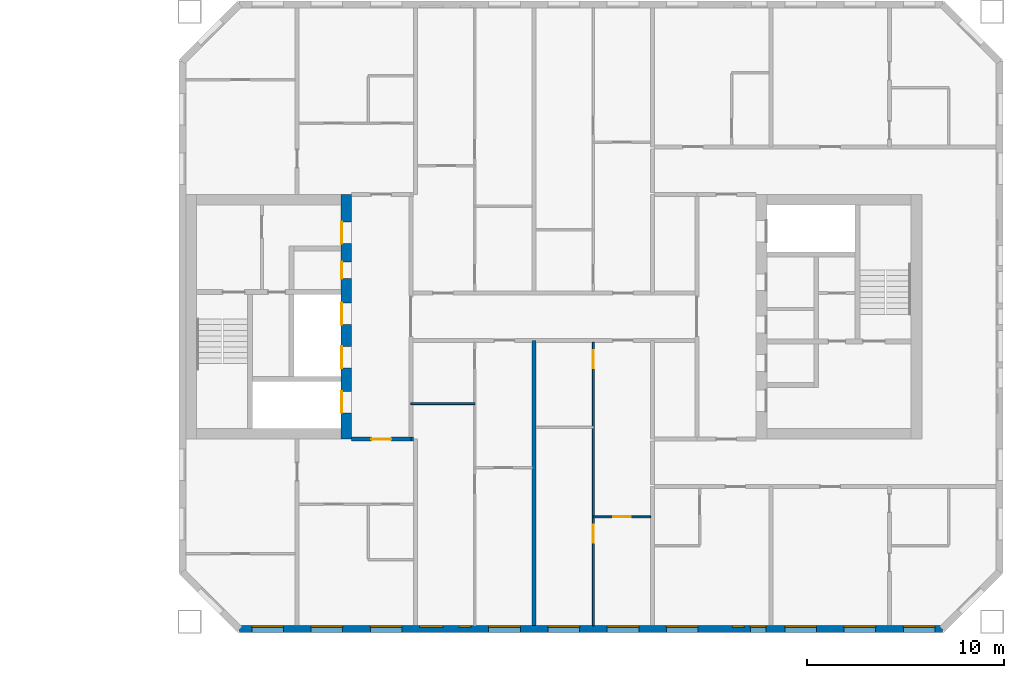
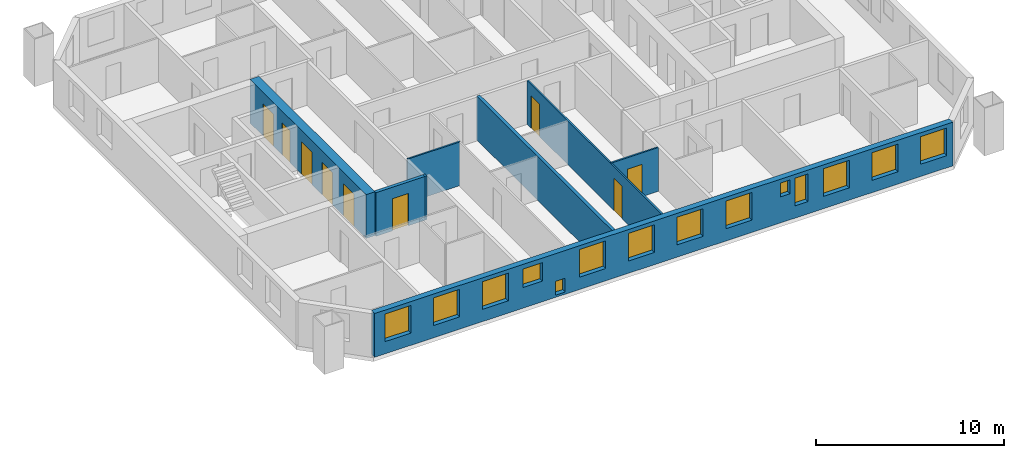
# One storey, part 10 of 16: 14 windows, 9 doors, 8 walls, 23 openings.
"""IFC4 building model written with IfcOpenShell, lengths in metres."""

from ifc_helpers import new_model, si_unit, direction, frame, frame_2d, origin, place, context, subcontext, project, spatial, rectangle, extrude, material, layer, layer_set, type_object, element, fill, save


model = new_model("IFC4")

# Units and contexts
model_context = context("Model", 3, precision=1e-05, world=origin(), true_north=direction((0.0, 1.0)))
body_context = subcontext(model_context, "Body", "Model", "MODEL_VIEW")
ifc_project = project(units=[si_unit("LENGTHUNIT", "METRE"), si_unit("AREAUNIT", "SQUARE_METRE"), si_unit("VOLUMEUNIT", "CUBIC_METRE"), si_unit("PLANEANGLEUNIT", "RADIAN"), si_unit("MASSUNIT", "GRAM", prefix="KILO")], contexts=[model_context])

# Site, building, storey
site_placement = place(None, origin())
site = spatial("IfcSite", under=ifc_project, at=site_placement, CompositionType="ELEMENT")
building_placement = place(site_placement, origin())
building = spatial("IfcBuilding", under=site, at=building_placement, Name="Tuart Gate Housing", CompositionType="ELEMENT")
storey_placement = place(building_placement, frame((0.0, 0.0, 133.0)))
storey = spatial("IfcBuildingStorey", under=building, at=storey_placement, Name="L37", CompositionType="ELEMENT", Elevation=133.0)

# Wall, openings, windows
ifc_material_1 = material(Name="Brick", Category="masonry")
ifc_layer_1 = layer(ifc_material_1, 0.360107421875)
ifc_layer_set_1 = layer_set([ifc_layer_1], Name="Brick pier and spandrel wall 360")
wall_type_1 = type_object("IfcWallType", Name="Brick pier and spandrel wall 360", PredefinedType="STANDARD", material=ifc_layer_set_1)
wall_1_placement = place(storey_placement, frame((134.07470703125, 54.179931640625, 0.0), z_axis=(0.0, 0.0, 1.0), x_axis=(1.0, 0.0, 0.0)))
wall_1 = element("IfcWall", 1, at=wall_1_placement, inside=storey, type_object=wall_type_1, Name="External wall B-S L37", PredefinedType="STANDARD", context=body_context, shape_type="SweptSolid", body=[
    extrude(rectangle(XDim=35.600830078125, YDim=0.360107421875, at=frame_2d((17.80029296875, 0.0))), origin(), (0.0, 0.0, 1.0), 2.85009765625),
])
opening_1_placement = place(wall_1_placement, frame((0.62548828125, 0.0, 0.800048828125)))
opening_1 = element("IfcOpeningElement", 2, at=opening_1_placement, cuts=wall_1, Name="Opening W1", PredefinedType="OPENING", context=body_context, shape_type="SweptSolid", body=[
    extrude(rectangle(XDim=1.60009765625, YDim=1.800048828125, at=frame_2d((0.800048828125, 0.89990234375))), frame((0.0, 0.18994140625, 0.0), z_axis=(0.0, -1.0, 0.0), x_axis=(1.0, 0.0, 0.0)), (0.0, 0.0, 1.0), 0.380126953125),
])
opening_2_placement = place(wall_1_placement, frame((3.62548828125, 0.0, 0.800048828125)))
opening_2 = element("IfcOpeningElement", 3, at=opening_2_placement, cuts=wall_1, Name="Opening W1", PredefinedType="OPENING", context=body_context, shape_type="SweptSolid", body=[
    extrude(rectangle(XDim=1.60009765625, YDim=1.800048828125, at=frame_2d((0.800048828125, 0.89990234375))), frame((0.0, 0.18994140625, 0.0), z_axis=(0.0, -1.0, 0.0), x_axis=(1.0, 0.0, 0.0)), (0.0, 0.0, 1.0), 0.380126953125),
])
opening_3_placement = place(wall_1_placement, frame((6.62548828125, 0.0, 0.800048828125)))
opening_3 = element("IfcOpeningElement", 4, at=opening_3_placement, cuts=wall_1, Name="Opening W1", PredefinedType="OPENING", context=body_context, shape_type="SweptSolid", body=[
    extrude(rectangle(XDim=1.60009765625, YDim=1.800048828125, at=frame_2d((0.800048828125, 0.89990234375))), frame((0.0, 0.18994140625, 0.0), z_axis=(0.0, -1.0, 0.0), x_axis=(1.0, 0.0, 0.0)), (0.0, 0.0, 1.0), 0.380126953125),
])
opening_4_placement = place(wall_1_placement, frame((9.12548828125, 0.0, 1.35009765625)))
opening_4 = element("IfcOpeningElement", 5, at=opening_4_placement, cuts=wall_1, Name="Opening W1N", PredefinedType="OPENING", context=body_context, shape_type="SweptSolid", body=[
    extrude(rectangle(XDim=1.199951171875, YDim=1.199951171875, at=frame_2d((0.60009765625, 0.60009765625))), frame((0.0, 0.18994140625, 0.0), z_axis=(0.0, -1.0, 0.0), x_axis=(1.0, 0.0, 0.0)), (0.0, 0.0, 1.0), 0.380126953125),
])
opening_5_placement = place(wall_1_placement, frame((12.62548828125, 0.0, 0.800048828125)))
opening_5 = element("IfcOpeningElement", 6, at=opening_5_placement, cuts=wall_1, Name="Opening W1", PredefinedType="OPENING", context=body_context, shape_type="SweptSolid", body=[
    extrude(rectangle(XDim=1.60009765625, YDim=1.800048828125, at=frame_2d((0.800048828125, 0.89990234375))), frame((0.0, 0.18994140625, 0.0), z_axis=(0.0, -1.0, 0.0), x_axis=(1.0, 0.0, 0.0)), (0.0, 0.0, 1.0), 0.380126953125),
])
opening_6_placement = place(wall_1_placement, frame((15.62548828125, 0.0, 0.800048828125)))
opening_6 = element("IfcOpeningElement", 7, at=opening_6_placement, cuts=wall_1, Name="Opening W1", PredefinedType="OPENING", context=body_context, shape_type="SweptSolid", body=[
    extrude(rectangle(XDim=1.60009765625, YDim=1.800048828125, at=frame_2d((0.800048828125, 0.89990234375))), frame((0.0, 0.18994140625, 0.0), z_axis=(0.0, -1.0, 0.0), x_axis=(1.0, 0.0, 0.0)), (0.0, 0.0, 1.0), 0.380126953125),
])
opening_7_placement = place(wall_1_placement, frame((18.62548828125, 0.0, 0.800048828125)))
opening_7 = element("IfcOpeningElement", 8, at=opening_7_placement, cuts=wall_1, Name="Opening W1", PredefinedType="OPENING", context=body_context, shape_type="SweptSolid", body=[
    extrude(rectangle(XDim=1.60009765625, YDim=1.800048828125, at=frame_2d((0.800048828125, 0.89990234375))), frame((0.0, 0.18994140625, 0.0), z_axis=(0.0, -1.0, 0.0), x_axis=(1.0, 0.0, 0.0)), (0.0, 0.0, 1.0), 0.380126953125),
])
opening_8_placement = place(wall_1_placement, frame((21.62548828125, 0.0, 0.800048828125)))
opening_8 = element("IfcOpeningElement", 9, at=opening_8_placement, cuts=wall_1, Name="Opening W1", PredefinedType="OPENING", context=body_context, shape_type="SweptSolid", body=[
    extrude(rectangle(XDim=1.60009765625, YDim=1.800048828125, at=frame_2d((0.800048828125, 0.89990234375))), frame((0.0, 0.18994140625, 0.0), z_axis=(0.0, -1.0, 0.0), x_axis=(1.0, 0.0, 0.0)), (0.0, 0.0, 1.0), 0.380126953125),
])
opening_9_placement = place(wall_1_placement, frame((24.975341796875, 0.0, 1.699951171875)))
opening_9 = element("IfcOpeningElement", 10, at=opening_9_placement, cuts=wall_1, Name="Opening W1W", PredefinedType="OPENING", context=body_context, shape_type="SweptSolid", body=[
    extrude(rectangle(XDim=0.60009765625, YDim=0.89990234375, at=frame_2d((0.300048828125, 0.449951171875))), frame((0.0, 0.18994140625, 0.0), z_axis=(0.0, -1.0, 0.0), x_axis=(1.0, 0.0, 0.0)), (0.0, 0.0, 1.0), 0.380126953125),
])
opening_10_placement = place(wall_1_placement, frame((27.62548828125, 0.0, 0.800048828125)))
opening_10 = element("IfcOpeningElement", 11, at=opening_10_placement, cuts=wall_1, Name="Opening W1", PredefinedType="OPENING", context=body_context, shape_type="SweptSolid", body=[
    extrude(rectangle(XDim=1.60009765625, YDim=1.800048828125, at=frame_2d((0.800048828125, 0.89990234375))), frame((0.0, 0.18994140625, 0.0), z_axis=(0.0, -1.0, 0.0), x_axis=(1.0, 0.0, 0.0)), (0.0, 0.0, 1.0), 0.380126953125),
])
opening_11_placement = place(wall_1_placement, frame((30.62548828125, 0.0, 0.800048828125)))
opening_11 = element("IfcOpeningElement", 12, at=opening_11_placement, cuts=wall_1, Name="Opening W1", PredefinedType="OPENING", context=body_context, shape_type="SweptSolid", body=[
    extrude(rectangle(XDim=1.60009765625, YDim=1.800048828125, at=frame_2d((0.800048828125, 0.89990234375))), frame((0.0, 0.18994140625, 0.0), z_axis=(0.0, -1.0, 0.0), x_axis=(1.0, 0.0, 0.0)), (0.0, 0.0, 1.0), 0.380126953125),
])
opening_12_placement = place(wall_1_placement, frame((33.62548828125, 0.0, 0.800048828125)))
opening_12 = element("IfcOpeningElement", 13, at=opening_12_placement, cuts=wall_1, Name="Opening W1", PredefinedType="OPENING", context=body_context, shape_type="SweptSolid", body=[
    extrude(rectangle(XDim=1.60009765625, YDim=1.800048828125, at=frame_2d((0.800048828125, 0.89990234375))), frame((0.0, 0.18994140625, 0.0), z_axis=(0.0, -1.0, 0.0), x_axis=(1.0, 0.0, 0.0)), (0.0, 0.0, 1.0), 0.380126953125),
])
opening_13_placement = place(wall_1_placement, frame((11.12548828125, 0.0, 0.14990234375)))
opening_13 = element("IfcOpeningElement", 14, at=opening_13_placement, cuts=wall_1, Name="Opening W1W", PredefinedType="OPENING", context=body_context, shape_type="SweptSolid", body=[
    extrude(rectangle(XDim=0.60009765625, YDim=0.89990234375, at=frame_2d((0.300048828125, 0.449951171875))), frame((0.0, 0.18994140625, 0.0), z_axis=(0.0, -1.0, 0.0), x_axis=(1.0, 0.0, 0.0)), (0.0, 0.0, 1.0), 0.380126953125),
])
opening_14_placement = place(wall_1_placement, frame((25.87548828125, 0.0, 0.800048828125)))
opening_14 = element("IfcOpeningElement", 15, at=opening_14_placement, cuts=wall_1, Name="Opening W1D", PredefinedType="OPENING", context=body_context, shape_type="SweptSolid", body=[
    extrude(rectangle(XDim=0.800048828125, YDim=1.800048828125, at=frame_2d((0.39990234375, 0.89990234375))), frame((0.0, 0.18994140625, 0.0), z_axis=(0.0, -1.0, 0.0), x_axis=(1.0, 0.0, 0.0)), (0.0, 0.0, 1.0), 0.380126953125),
])
ifc_material_2 = material(Name="Aluminium frame with clear glass", Category="aluminium")
window_type_1 = type_object("IfcWindowType", Name="Punched window 1200 x 1200", PartitioningType="SINGLE_PANEL", PredefinedType="WINDOW", material=ifc_material_2)
window_1_placement = place(opening_4_placement, origin())
window_1 = element("IfcWindow", 16, at=window_1_placement, inside=storey, type_object=window_type_1, Name="Window W1N", OverallHeight=1.199951171875, OverallWidth=1.199951171875, PartitioningType="SINGLE_PANEL", PredefinedType="WINDOW", context=body_context, shape_type="SweptSolid", body=[
    extrude(rectangle(XDim=1.199951171875, YDim=1.199951171875, at=frame_2d((0.60009765625, 0.60009765625))), frame((0.0, 0.150146484375, 0.0), z_axis=(0.0, -1.0, 0.0), x_axis=(1.0, 0.0, 0.0)), (0.0, 0.0, 1.0), 0.06005859375),
])
fill(opening_4, window_1)
ifc_material_3 = material(Name="Aluminium frame with clear glass", Category="aluminium")
window_type_2 = type_object("IfcWindowType", Name="Punched window 1600 x 1800", PartitioningType="SINGLE_PANEL", PredefinedType="WINDOW", material=ifc_material_3)
window_2_placement = place(opening_1_placement, origin())
window_2 = element("IfcWindow", 17, at=window_2_placement, inside=storey, type_object=window_type_2, Name="Window W1", OverallHeight=1.800048828125, OverallWidth=1.60009765625, PartitioningType="SINGLE_PANEL", PredefinedType="WINDOW", context=body_context, shape_type="SweptSolid", body=[
    extrude(rectangle(XDim=1.60009765625, YDim=1.800048828125, at=frame_2d((0.800048828125, 0.89990234375))), frame((0.0, 0.150146484375, 0.0), z_axis=(0.0, -1.0, 0.0), x_axis=(1.0, 0.0, 0.0)), (0.0, 0.0, 1.0), 0.06005859375),
])
fill(opening_1, window_2)
window_3_placement = place(opening_2_placement, origin())
window_3 = element("IfcWindow", 18, at=window_3_placement, inside=storey, type_object=window_type_2, Name="Window W1", OverallHeight=1.800048828125, OverallWidth=1.60009765625, PartitioningType="SINGLE_PANEL", PredefinedType="WINDOW", context=body_context, shape_type="SweptSolid", body=[
    extrude(rectangle(XDim=1.60009765625, YDim=1.800048828125, at=frame_2d((0.800048828125, 0.89990234375))), frame((0.0, 0.150146484375, 0.0), z_axis=(0.0, -1.0, 0.0), x_axis=(1.0, 0.0, 0.0)), (0.0, 0.0, 1.0), 0.06005859375),
])
fill(opening_2, window_3)
window_4_placement = place(opening_3_placement, origin())
window_4 = element("IfcWindow", 19, at=window_4_placement, inside=storey, type_object=window_type_2, Name="Window W1", OverallHeight=1.800048828125, OverallWidth=1.60009765625, PartitioningType="SINGLE_PANEL", PredefinedType="WINDOW", context=body_context, shape_type="SweptSolid", body=[
    extrude(rectangle(XDim=1.60009765625, YDim=1.800048828125, at=frame_2d((0.800048828125, 0.89990234375))), frame((0.0, 0.150146484375, 0.0), z_axis=(0.0, -1.0, 0.0), x_axis=(1.0, 0.0, 0.0)), (0.0, 0.0, 1.0), 0.06005859375),
])
fill(opening_3, window_4)
window_5_placement = place(opening_5_placement, origin())
window_5 = element("IfcWindow", 20, at=window_5_placement, inside=storey, type_object=window_type_2, Name="Window W1", OverallHeight=1.800048828125, OverallWidth=1.60009765625, PartitioningType="SINGLE_PANEL", PredefinedType="WINDOW", context=body_context, shape_type="SweptSolid", body=[
    extrude(rectangle(XDim=1.60009765625, YDim=1.800048828125, at=frame_2d((0.800048828125, 0.89990234375))), frame((0.0, 0.150146484375, 0.0), z_axis=(0.0, -1.0, 0.0), x_axis=(1.0, 0.0, 0.0)), (0.0, 0.0, 1.0), 0.06005859375),
])
fill(opening_5, window_5)
window_6_placement = place(opening_6_placement, origin())
window_6 = element("IfcWindow", 21, at=window_6_placement, inside=storey, type_object=window_type_2, Name="Window W1", OverallHeight=1.800048828125, OverallWidth=1.60009765625, PartitioningType="SINGLE_PANEL", PredefinedType="WINDOW", context=body_context, shape_type="SweptSolid", body=[
    extrude(rectangle(XDim=1.60009765625, YDim=1.800048828125, at=frame_2d((0.800048828125, 0.89990234375))), frame((0.0, 0.150146484375, 0.0), z_axis=(0.0, -1.0, 0.0), x_axis=(1.0, 0.0, 0.0)), (0.0, 0.0, 1.0), 0.06005859375),
])
fill(opening_6, window_6)
window_7_placement = place(opening_7_placement, origin())
window_7 = element("IfcWindow", 22, at=window_7_placement, inside=storey, type_object=window_type_2, Name="Window W1", OverallHeight=1.800048828125, OverallWidth=1.60009765625, PartitioningType="SINGLE_PANEL", PredefinedType="WINDOW", context=body_context, shape_type="SweptSolid", body=[
    extrude(rectangle(XDim=1.60009765625, YDim=1.800048828125, at=frame_2d((0.800048828125, 0.89990234375))), frame((0.0, 0.150146484375, 0.0), z_axis=(0.0, -1.0, 0.0), x_axis=(1.0, 0.0, 0.0)), (0.0, 0.0, 1.0), 0.06005859375),
])
fill(opening_7, window_7)
window_8_placement = place(opening_8_placement, origin())
window_8 = element("IfcWindow", 23, at=window_8_placement, inside=storey, type_object=window_type_2, Name="Window W1", OverallHeight=1.800048828125, OverallWidth=1.60009765625, PartitioningType="SINGLE_PANEL", PredefinedType="WINDOW", context=body_context, shape_type="SweptSolid", body=[
    extrude(rectangle(XDim=1.60009765625, YDim=1.800048828125, at=frame_2d((0.800048828125, 0.89990234375))), frame((0.0, 0.150146484375, 0.0), z_axis=(0.0, -1.0, 0.0), x_axis=(1.0, 0.0, 0.0)), (0.0, 0.0, 1.0), 0.06005859375),
])
fill(opening_8, window_8)
window_9_placement = place(opening_10_placement, origin())
window_9 = element("IfcWindow", 24, at=window_9_placement, inside=storey, type_object=window_type_2, Name="Window W1", OverallHeight=1.800048828125, OverallWidth=1.60009765625, PartitioningType="SINGLE_PANEL", PredefinedType="WINDOW", context=body_context, shape_type="SweptSolid", body=[
    extrude(rectangle(XDim=1.60009765625, YDim=1.800048828125, at=frame_2d((0.800048828125, 0.89990234375))), frame((0.0, 0.150146484375, 0.0), z_axis=(0.0, -1.0, 0.0), x_axis=(1.0, 0.0, 0.0)), (0.0, 0.0, 1.0), 0.06005859375),
])
fill(opening_10, window_9)
window_10_placement = place(opening_11_placement, origin())
window_10 = element("IfcWindow", 25, at=window_10_placement, inside=storey, type_object=window_type_2, Name="Window W1", OverallHeight=1.800048828125, OverallWidth=1.60009765625, PartitioningType="SINGLE_PANEL", PredefinedType="WINDOW", context=body_context, shape_type="SweptSolid", body=[
    extrude(rectangle(XDim=1.60009765625, YDim=1.800048828125, at=frame_2d((0.800048828125, 0.89990234375))), frame((0.0, 0.150146484375, 0.0), z_axis=(0.0, -1.0, 0.0), x_axis=(1.0, 0.0, 0.0)), (0.0, 0.0, 1.0), 0.06005859375),
])
fill(opening_11, window_10)
window_11_placement = place(opening_12_placement, origin())
window_11 = element("IfcWindow", 26, at=window_11_placement, inside=storey, type_object=window_type_2, Name="Window W1", OverallHeight=1.800048828125, OverallWidth=1.60009765625, PartitioningType="SINGLE_PANEL", PredefinedType="WINDOW", context=body_context, shape_type="SweptSolid", body=[
    extrude(rectangle(XDim=1.60009765625, YDim=1.800048828125, at=frame_2d((0.800048828125, 0.89990234375))), frame((0.0, 0.150146484375, 0.0), z_axis=(0.0, -1.0, 0.0), x_axis=(1.0, 0.0, 0.0)), (0.0, 0.0, 1.0), 0.06005859375),
])
fill(opening_12, window_11)
ifc_material_4 = material(Name="Aluminium frame with clear glass", Category="aluminium")
window_type_3 = type_object("IfcWindowType", Name="Punched window 600 x 900", PartitioningType="SINGLE_PANEL", PredefinedType="WINDOW", material=ifc_material_4)
window_12_placement = place(opening_9_placement, origin())
window_12 = element("IfcWindow", 27, at=window_12_placement, inside=storey, type_object=window_type_3, Name="Window W1W", OverallHeight=0.89990234375, OverallWidth=0.60009765625, PartitioningType="SINGLE_PANEL", PredefinedType="WINDOW", context=body_context, shape_type="SweptSolid", body=[
    extrude(rectangle(XDim=0.60009765625, YDim=0.89990234375, at=frame_2d((0.300048828125, 0.449951171875))), frame((0.0, 0.150146484375, 0.0), z_axis=(0.0, -1.0, 0.0), x_axis=(1.0, 0.0, 0.0)), (0.0, 0.0, 1.0), 0.06005859375),
])
fill(opening_9, window_12)
window_13_placement = place(opening_13_placement, origin())
window_13 = element("IfcWindow", 28, at=window_13_placement, inside=storey, type_object=window_type_3, Name="Window W1W", OverallHeight=0.89990234375, OverallWidth=0.60009765625, PartitioningType="SINGLE_PANEL", PredefinedType="WINDOW", context=body_context, shape_type="SweptSolid", body=[
    extrude(rectangle(XDim=0.60009765625, YDim=0.89990234375, at=frame_2d((0.300048828125, 0.449951171875))), frame((0.0, 0.150146484375, 0.0), z_axis=(0.0, -1.0, 0.0), x_axis=(1.0, 0.0, 0.0)), (0.0, 0.0, 1.0), 0.06005859375),
])
fill(opening_13, window_13)
ifc_material_5 = material(Name="Aluminium frame with clear glass", Category="aluminium")
window_type_4 = type_object("IfcWindowType", Name="Punched window 800 x 1800", PartitioningType="SINGLE_PANEL", PredefinedType="WINDOW", material=ifc_material_5)
window_14_placement = place(opening_14_placement, origin())
window_14 = element("IfcWindow", 29, at=window_14_placement, inside=storey, type_object=window_type_4, Name="Window W1D", OverallHeight=1.800048828125, OverallWidth=0.800048828125, PartitioningType="SINGLE_PANEL", PredefinedType="WINDOW", context=body_context, shape_type="SweptSolid", body=[
    extrude(rectangle(XDim=0.800048828125, YDim=1.800048828125, at=frame_2d((0.39990234375, 0.89990234375))), frame((0.0, 0.150146484375, 0.0), z_axis=(0.0, -1.0, 0.0), x_axis=(1.0, 0.0, 0.0)), (0.0, 0.0, 1.0), 0.06005859375),
])
fill(opening_14, window_14)

# Wall, openings, doors
ifc_material_6 = material(Name="Concrete C50", Category="concrete")
ifc_layer_2 = layer(ifc_material_6, 0.550048828125)
ifc_layer_set_2 = layer_set([ifc_layer_2], Name="Core wall 550 C50")
wall_type_2 = type_object("IfcWallType", Name="Core wall 550 C50", PredefinedType="SHEAR", material=ifc_layer_set_2)
wall_2_placement = place(storey_placement, frame((139.485107421875, 63.800048828125, 0.0), z_axis=(0.0, 0.0, 1.0), x_axis=(0.0, 1.0, 0.0)))
wall_2 = element("IfcWall", 30, at=wall_2_placement, inside=storey, type_object=wall_type_2, Name="Core wall BG front", PredefinedType="SHEAR", context=body_context, shape_type="SweptSolid", body=[
    extrude(rectangle(XDim=12.39990234375, YDim=0.550048828125, at=frame_2d((6.199951171875, 0.0))), origin(), (0.0, 0.0, 1.0), 2.85009765625),
])
opening_15_placement = place(wall_2_placement, frame((1.324951171875, 0.0, 0.0)))
opening_15 = element("IfcOpeningElement", 31, at=opening_15_placement, cuts=wall_2, Name="Opening LD-FB1", PredefinedType="OPENING", context=body_context, shape_type="SweptSolid", body=[
    extrude(rectangle(XDim=1.10009765625, YDim=2.10009765625, at=frame_2d((0.550048828125, 1.050048828125))), frame((0.0, 0.284912109375, 0.0), z_axis=(0.0, -1.0, 0.0), x_axis=(1.0, 0.0, 0.0)), (0.0, 0.0, 1.0), 0.570068359375),
])
opening_16_placement = place(wall_2_placement, frame((3.60009765625, 0.0, 0.0)))
opening_16 = element("IfcOpeningElement", 32, at=opening_16_placement, cuts=wall_2, Name="Opening LD-LB1", PredefinedType="OPENING", context=body_context, shape_type="SweptSolid", body=[
    extrude(rectangle(XDim=1.10009765625, YDim=2.10009765625, at=frame_2d((0.550048828125, 1.050048828125))), frame((0.0, 0.284912109375, 0.0), z_axis=(0.0, -1.0, 0.0), x_axis=(1.0, 0.0, 0.0)), (0.0, 0.0, 1.0), 0.570068359375),
])
opening_17_placement = place(wall_2_placement, frame((5.800048828125, 0.0, 0.0)))
opening_17 = element("IfcOpeningElement", 33, at=opening_17_placement, cuts=wall_2, Name="Opening LD-LB2", PredefinedType="OPENING", context=body_context, shape_type="SweptSolid", body=[
    extrude(rectangle(XDim=1.10009765625, YDim=2.10009765625, at=frame_2d((0.550048828125, 1.050048828125))), frame((0.0, 0.284912109375, 0.0), z_axis=(0.0, -1.0, 0.0), x_axis=(1.0, 0.0, 0.0)), (0.0, 0.0, 1.0), 0.570068359375),
])
opening_18_placement = place(wall_2_placement, frame((9.89990234375, 0.0, 0.0)))
opening_18 = element("IfcOpeningElement", 34, at=opening_18_placement, cuts=wall_2, Name="Opening D1487", PredefinedType="OPENING", context=body_context, shape_type="SweptSolid", body=[
    extrude(rectangle(XDim=1.10009765625, YDim=2.10009765625, at=frame_2d((0.550048828125, 1.050048828125))), frame((0.0, 0.284912109375, 0.0), z_axis=(0.0, -1.0, 0.0), x_axis=(1.0, 0.0, 0.0)), (0.0, 0.0, 1.0), 0.570068359375),
])
opening_19_placement = place(wall_2_placement, frame((8.125, 0.0, 0.0)))
opening_19 = element("IfcOpeningElement", 35, at=opening_19_placement, cuts=wall_2, Name="Opening D1488", PredefinedType="OPENING", context=body_context, shape_type="SweptSolid", body=[
    extrude(rectangle(XDim=0.85009765625, YDim=2.10009765625, at=frame_2d((0.425048828125, 1.050048828125))), frame((0.0, 0.284912109375, 0.0), z_axis=(0.0, -1.0, 0.0), x_axis=(1.0, 0.0, 0.0)), (0.0, 0.0, 1.0), 0.570068359375),
])
ifc_material_7 = material(Name="Stainless steel", Category="steel")
door_type_1 = type_object("IfcDoorType", Name="Landing door 1100 x 2100", OperationType="DOUBLE_DOOR_SLIDING", PredefinedType="DOOR", material=ifc_material_7)
door_1_placement = place(opening_15_placement, origin())
door_1 = element("IfcDoor", 36, at=door_1_placement, inside=storey, type_object=door_type_1, Name="Lift landing door FB1", OperationType="DOUBLE_DOOR_SLIDING", OverallHeight=2.10009765625, OverallWidth=1.10009765625, PredefinedType="DOOR", context=body_context, shape_type="SweptSolid", body=[
    extrude(rectangle(XDim=1.10009765625, YDim=2.10009765625, at=frame_2d((0.550048828125, 1.050048828125))), frame((0.0, 0.26025390625, 0.0), z_axis=(0.0, -1.0, 0.0), x_axis=(1.0, 0.0, 0.0)), (0.0, 0.0, 1.0), 0.050048828125),
])
fill(opening_15, door_1)
door_2_placement = place(opening_16_placement, origin())
door_2 = element("IfcDoor", 37, at=door_2_placement, inside=storey, type_object=door_type_1, Name="Lift landing door LB1", OperationType="DOUBLE_DOOR_SLIDING", OverallHeight=2.10009765625, OverallWidth=1.10009765625, PredefinedType="DOOR", context=body_context, shape_type="SweptSolid", body=[
    extrude(rectangle(XDim=1.10009765625, YDim=2.10009765625, at=frame_2d((0.550048828125, 1.050048828125))), frame((0.0, 0.26025390625, 0.0), z_axis=(0.0, -1.0, 0.0), x_axis=(1.0, 0.0, 0.0)), (0.0, 0.0, 1.0), 0.050048828125),
])
fill(opening_16, door_2)
door_3_placement = place(opening_17_placement, origin())
door_3 = element("IfcDoor", 38, at=door_3_placement, inside=storey, type_object=door_type_1, Name="Lift landing door LB2", OperationType="DOUBLE_DOOR_SLIDING", OverallHeight=2.10009765625, OverallWidth=1.10009765625, PredefinedType="DOOR", context=body_context, shape_type="SweptSolid", body=[
    extrude(rectangle(XDim=1.10009765625, YDim=2.10009765625, at=frame_2d((0.550048828125, 1.050048828125))), frame((0.0, 0.26025390625, 0.0), z_axis=(0.0, -1.0, 0.0), x_axis=(1.0, 0.0, 0.0)), (0.0, 0.0, 1.0), 0.050048828125),
])
fill(opening_17, door_3)
ifc_material_8 = material(Name="Steel fire door", Category="steel")
door_type_2 = type_object("IfcDoorType", Name="Lobby door 1100 x 2100", OperationType="SINGLE_SWING_LEFT", PredefinedType="DOOR", material=ifc_material_8)
door_4_placement = place(opening_18_placement, origin())
door_4 = element("IfcDoor", 39, at=door_4_placement, inside=storey, type_object=door_type_2, Name="Lobby entry door BG.EN", OperationType="SINGLE_SWING_LEFT", OverallHeight=2.10009765625, OverallWidth=1.10009765625, PredefinedType="DOOR", context=body_context, shape_type="SweptSolid", body=[
    extrude(rectangle(XDim=1.10009765625, YDim=2.10009765625, at=frame_2d((0.550048828125, 1.050048828125))), frame((0.0, 0.26025390625, 0.0), z_axis=(0.0, -1.0, 0.0), x_axis=(1.0, 0.0, 0.0)), (0.0, 0.0, 1.0), 0.050048828125),
])
fill(opening_18, door_4)
ifc_material_9 = material(Name="Steel fire door", Category="steel")
door_type_3 = type_object("IfcDoorType", Name="Service door 850 x 2100", OperationType="SINGLE_SWING_LEFT", PredefinedType="DOOR", material=ifc_material_9)
door_5_placement = place(opening_19_placement, origin())
door_5 = element("IfcDoor", 40, at=door_5_placement, inside=storey, type_object=door_type_3, Name="Service room door BG.T1", OperationType="SINGLE_SWING_LEFT", OverallHeight=2.10009765625, OverallWidth=0.85009765625, PredefinedType="DOOR", context=body_context, shape_type="SweptSolid", body=[
    extrude(rectangle(XDim=0.85009765625, YDim=2.10009765625, at=frame_2d((0.425048828125, 1.050048828125))), frame((0.0, 0.26025390625, 0.0), z_axis=(0.0, -1.0, 0.0), x_axis=(1.0, 0.0, 0.0)), (0.0, 0.0, 1.0), 0.050048828125),
])
fill(opening_19, door_5)

# Wall, opening, door
ifc_material_10 = material(Name="Concrete masonry 15 MPa", Category="masonry")
ifc_layer_3 = layer(ifc_material_10, 0.199951171875)
ifc_layer_set_3 = layer_set([ifc_layer_3], Name="Enclosure wall masonry 200")
wall_type_3 = type_object("IfcWallType", Name="Enclosure wall masonry 200", PredefinedType="PARTITIONING", material=ifc_layer_set_3)
wall_3_placement = place(storey_placement, frame((139.760009765625, 63.800048828125, 0.0), z_axis=(0.0, 0.0, 1.0), x_axis=(1.0, 0.0, 0.0)))
wall_3 = element("IfcWall", 41, at=wall_3_placement, inside=storey, type_object=wall_type_3, Name="Enclosure wall masonry 200", PredefinedType="PARTITIONING", context=body_context, shape_type="SweptSolid", body=[
    extrude(rectangle(XDim=3.0, YDim=0.199951171875, at=frame_2d((1.5, 0.0))), origin(), (0.0, 0.0, 1.0), 2.85009765625),
])
opening_20_placement = place(wall_3_placement, frame((1.0, 0.0, 0.0)))
opening_20 = element("IfcOpeningElement", 42, at=opening_20_placement, cuts=wall_3, Name="Opening D1499", PredefinedType="OPENING", context=body_context, shape_type="SweptSolid", body=[
    extrude(rectangle(XDim=1.0, YDim=2.10009765625, at=frame_2d((0.5, 1.050048828125))), frame((0.0, 0.10986328125, 0.0), z_axis=(0.0, -1.0, 0.0), x_axis=(1.0, 0.0, 0.0)), (0.0, 0.0, 1.0), 0.219970703125),
])
ifc_material_11 = material(Name="Timber door leaf in steel frame", Category="steel")
door_type_4 = type_object("IfcDoorType", Name="Flat entrance door 1000", OperationType="SINGLE_SWING_LEFT", PredefinedType="DOOR", material=ifc_material_11)
door_6_placement = place(opening_20_placement, frame((1.0, 0.0, 0.0), z_axis=(0.0, 0.0, 1.0), x_axis=(-1.0, 0.0, 0.0)))
door_6 = element("IfcDoor", 43, at=door_6_placement, inside=storey, type_object=door_type_4, Name="Flat entrance door", OperationType="SINGLE_SWING_LEFT", OverallHeight=2.10009765625, OverallWidth=1.0, PredefinedType="DOOR", context=body_context, shape_type="SweptSolid", body=[
    extrude(rectangle(XDim=1.0, YDim=2.10009765625, at=frame_2d((0.5, 1.050048828125))), frame((0.0, 0.025146484375, 0.0), z_axis=(0.0, -1.0, 0.0), x_axis=(1.0, 0.0, 0.0)), (0.0, 0.0, 1.0), 0.050048828125),
])
fill(opening_20, door_6)

ifc_material_12 = material(Name="Gypsum board on steel studs", Category="steel")
ifc_layer_4 = layer(ifc_material_12, 0.10009765625)
ifc_layer_set_4 = layer_set([ifc_layer_4], Name="Partition 100")
wall_type_4 = type_object("IfcWallType", Name="Partition 100", PredefinedType="PARTITIONING", material=ifc_layer_set_4)
wall_4_placement = place(storey_placement, frame((152.0, 59.860107421875, 0.0), z_axis=(0.0, 0.0, 1.0), x_axis=(1.0, 0.0, 0.0)))
wall_4 = element("IfcWall", 44, at=wall_4_placement, inside=storey, type_object=wall_type_4, Name="Partition 100", PredefinedType="PARTITIONING", context=body_context, shape_type="SweptSolid", body=[
    extrude(rectangle(XDim=2.89990234375, YDim=0.10009765625, at=frame_2d((1.449951171875, 0.0))), origin(), (0.0, 0.0, 1.0), 2.85009765625),
])
opening_21_placement = place(wall_4_placement, frame((1.0, 0.0, 0.0)))
opening_21 = element("IfcOpeningElement", 45, at=opening_21_placement, cuts=wall_4, Name="Opening D1511", PredefinedType="OPENING", context=body_context, shape_type="SweptSolid", body=[
    extrude(rectangle(XDim=0.89990234375, YDim=2.10009765625, at=frame_2d((0.449951171875, 1.050048828125))), frame((0.0, 0.06005859375, 0.0), z_axis=(0.0, -1.0, 0.0), x_axis=(1.0, 0.0, 0.0)), (0.0, 0.0, 1.0), 0.1201171875),
])
ifc_material_13 = material(Name="Timber door leaf in steel frame", Category="steel")
door_type_5 = type_object("IfcDoorType", Name="Internal door 900", OperationType="SINGLE_SWING_LEFT", PredefinedType="DOOR", material=ifc_material_13)
door_7_placement = place(opening_21_placement, origin())
door_7 = element("IfcDoor", 46, at=door_7_placement, inside=storey, type_object=door_type_5, Name="Internal door", OperationType="SINGLE_SWING_LEFT", OverallHeight=2.10009765625, OverallWidth=0.89990234375, PredefinedType="DOOR", context=body_context, shape_type="SweptSolid", body=[
    extrude(rectangle(XDim=0.89990234375, YDim=2.10009765625, at=frame_2d((0.449951171875, 1.050048828125))), frame((0.0, 0.02490234375, 0.0), z_axis=(0.0, -1.0, 0.0), x_axis=(1.0, 0.0, 0.0)), (0.0, 0.0, 1.0), 0.050048828125),
])
fill(opening_21, door_7)

# Wall
wall_5_placement = place(storey_placement, frame((142.760009765625, 65.60009765625, 0.0), z_axis=(0.0, 0.0, 1.0), x_axis=(1.0, 0.0, 0.0)))
element("IfcWall", 47, at=wall_5_placement, inside=storey, type_object=wall_type_4, Name="Partition 100", PredefinedType="PARTITIONING", context=body_context, shape_type="SweptSolid", body=[
    extrude(rectangle(XDim=3.239990234375, YDim=0.10009765625, at=frame_2d((1.6201171875, 0.0))), origin(), (0.0, 0.0, 1.0), 2.85009765625),
])

# Wall, openings, doors
wall_6_placement = place(storey_placement, frame((152.0, 54.360107421875, 0.0), z_axis=(0.0, 0.0, 1.0), x_axis=(0.0, 1.0, 0.0)))
wall_6 = element("IfcWall", 48, at=wall_6_placement, inside=storey, type_object=wall_type_4, Name="Partition 100", PredefinedType="PARTITIONING", context=body_context, shape_type="SweptSolid", body=[
    extrude(rectangle(XDim=14.33984375, YDim=0.10009765625, at=frame_2d((7.169921875, 0.0))), origin(), (0.0, 0.0, 1.0), 2.85009765625),
])
opening_22_placement = place(wall_6_placement, frame((4.199951171875, 0.0, 0.0)))
opening_22 = element("IfcOpeningElement", 49, at=opening_22_placement, cuts=wall_6, Name="Opening D1505", PredefinedType="OPENING", context=body_context, shape_type="SweptSolid", body=[
    extrude(rectangle(XDim=0.89990234375, YDim=2.10009765625, at=frame_2d((0.449951171875, 1.050048828125))), frame((0.0, 0.06005859375, 0.0), z_axis=(0.0, -1.0, 0.0), x_axis=(1.0, 0.0, 0.0)), (0.0, 0.0, 1.0), 0.1201171875),
])
opening_23_placement = place(wall_6_placement, frame((13.0400390625, 0.0, 0.0)))
opening_23 = element("IfcOpeningElement", 50, at=opening_23_placement, cuts=wall_6, Name="Opening D1504", PredefinedType="OPENING", context=body_context, shape_type="SweptSolid", body=[
    extrude(rectangle(XDim=0.89990234375, YDim=2.10009765625, at=frame_2d((0.449951171875, 1.050048828125))), frame((0.0, 0.06005859375, 0.0), z_axis=(0.0, -1.0, 0.0), x_axis=(1.0, 0.0, 0.0)), (0.0, 0.0, 1.0), 0.1201171875),
])
ifc_material_14 = material(Name="Timber door leaf in steel frame", Category="steel")
door_type_6 = type_object("IfcDoorType", Name="Bathroom door 900 RH", OperationType="SINGLE_SWING_RIGHT", PredefinedType="DOOR", material=ifc_material_14)
door_8_placement = place(opening_23_placement, origin())
door_8 = element("IfcDoor", 51, at=door_8_placement, inside=storey, type_object=door_type_6, Name="Bathroom door", OperationType="SINGLE_SWING_RIGHT", OverallHeight=2.10009765625, OverallWidth=0.89990234375, PredefinedType="DOOR", context=body_context, shape_type="SweptSolid", body=[
    extrude(rectangle(XDim=0.89990234375, YDim=2.10009765625, at=frame_2d((0.449951171875, 1.050048828125))), frame((0.0, 0.02490234375, 0.0), z_axis=(0.0, -1.0, 0.0), x_axis=(1.0, 0.0, 0.0)), (0.0, 0.0, 1.0), 0.050048828125),
])
fill(opening_23, door_8)
door_9_placement = place(opening_22_placement, origin())
door_9 = element("IfcDoor", 52, at=door_9_placement, inside=storey, type_object=door_type_5, Name="Internal door", OperationType="SINGLE_SWING_LEFT", OverallHeight=2.10009765625, OverallWidth=0.89990234375, PredefinedType="DOOR", context=body_context, shape_type="SweptSolid", body=[
    extrude(rectangle(XDim=0.89990234375, YDim=2.10009765625, at=frame_2d((0.449951171875, 1.050048828125))), frame((0.0, 0.02490234375, 0.0), z_axis=(0.0, -1.0, 0.0), x_axis=(1.0, 0.0, 0.0)), (0.0, 0.0, 1.0), 0.050048828125),
])
fill(opening_22, door_9)

# Walls
ifc_material_15 = material(Name="Concrete C40", Category="concrete")
ifc_layer_5 = layer(ifc_material_15, 0.199951171875)
ifc_layer_set_5 = layer_set([ifc_layer_5], Name="Party wall concrete C40 200")
wall_type_5 = type_object("IfcWallType", Name="Party wall concrete C40 200", PredefinedType="SOLIDWALL", material=ifc_layer_set_5)
wall_7_placement = place(storey_placement, frame((149.0, 54.360107421875, 0.0), z_axis=(0.0, 0.0, 1.0), x_axis=(0.0, 1.0, 0.0)))
element("IfcWall", 53, at=wall_7_placement, inside=storey, type_object=wall_type_5, Name="Party wall concrete C40 200", PredefinedType="SOLIDWALL", context=body_context, shape_type="SweptSolid", body=[
    extrude(rectangle(XDim=14.43994140625, YDim=0.199951171875, at=frame_2d((7.219970703125, 0.0))), origin(), (0.0, 0.0, 1.0), 2.85009765625),
])
ifc_material_16 = material(Name="Concrete masonry 15 MPa", Category="masonry")
ifc_layer_6 = layer(ifc_material_16, 0.199951171875)
ifc_layer_set_6 = layer_set([ifc_layer_6], Name="Party wall masonry 200")
wall_type_6 = type_object("IfcWallType", Name="Party wall masonry 200", PredefinedType="PARTITIONING", material=ifc_layer_set_6)
wall_8_placement = place(storey_placement, frame((142.760009765625, 63.800048828125, 0.0), z_axis=(0.0, 0.0, 1.0), x_axis=(1.0, 0.0, 0.0)))
element("IfcWall", 54, at=wall_8_placement, inside=storey, type_object=wall_type_6, Name="Party wall masonry 200", PredefinedType="PARTITIONING", context=body_context, shape_type="SweptSolid", body=[
    extrude(rectangle(XDim=0.139892578125, YDim=0.199951171875, at=frame_2d((0.06982421875, 0.0))), origin(), (0.0, 0.0, 1.0), 2.85009765625),
])

save(model, "model.ifc")
